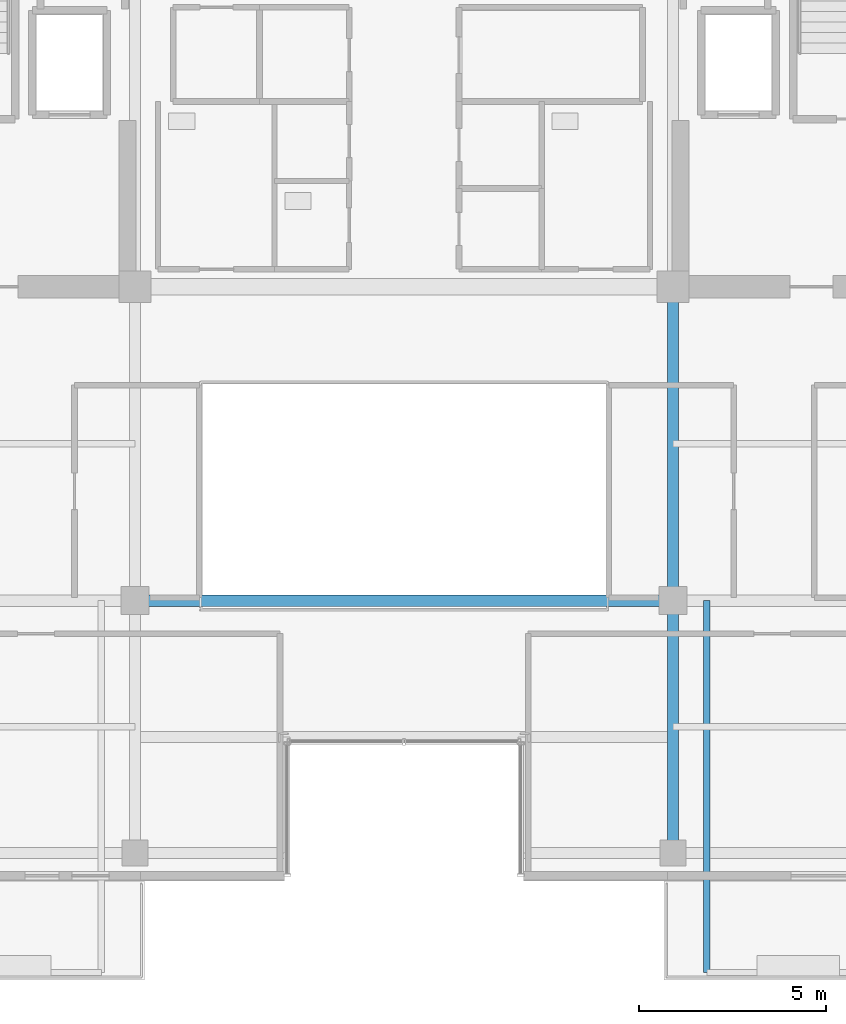
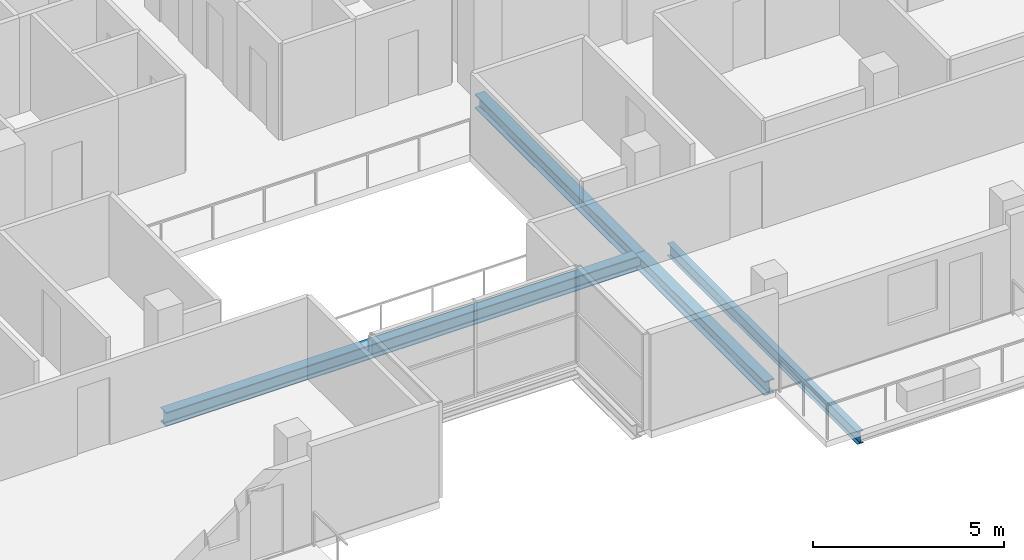
# One storey, part 4 of 21: 4 beams.
"""IFC4 building model written with IfcOpenShell, lengths in metres."""

import ifcopenshell
import ifcopenshell.guid

model = None  # the IFC model being written
_history = None  # IfcOwnerHistory: only IFC2X3 demands one
_inside = {}  # id of a spatial element -> (the spatial element, [elements in it])
_under = {}  # id of a project, library or spatial element -> (it, [spatial elements below it])
_declared = {}  # id of a project -> (the project, [libraries it declares])
_typed = {}  # id of a type object -> (the type object, [elements of that type])
_made_of = {}  # id of a material, layer set ... -> (it, [elements and type objects made of it])


def new_model(schema):
    """Start an empty IFC model of exactly this schema.

    Asked for "IFC4X3", IfcOpenShell would pick the latest addendum, in which some entities
    have other attributes; the version numbers below select the first issue.
    IFC2X3 requires an IfcOwnerHistory on every rooted entity: one is made here for all.
    """
    global model, _history
    if schema == "IFC4X3":
        model = ifcopenshell.file(schema_version=(4, 3, 0, 0))
    else:
        model = ifcopenshell.file(schema=schema)
    _inside.clear()
    _under.clear()
    _declared.clear()
    _typed.clear()
    _made_of.clear()
    _history = None
    if model.schema == "IFC2X3":
        org = make("IfcOrganization", Name="unknown")
        user = make(
            "IfcPersonAndOrganization",
            ThePerson=make("IfcPerson", FamilyName="unknown"),
            TheOrganization=org,
        )
        app = make(
            "IfcApplication",
            ApplicationDeveloper=org,
            Version="unknown",
            ApplicationFullName="unknown",
            ApplicationIdentifier="unknown",
        )
        _history = make(
            "IfcOwnerHistory",
            OwningUser=user,
            OwningApplication=app,
            ChangeAction="ADDED",
            CreationDate=0,
        )
    return model


def make(cls, **values):
    """One entity of the class cls with the attributes given. An attribute that is None is left unset."""
    return model.create_entity(
        cls, **{name: value for name, value in values.items() if value is not None}
    )


def rooted(cls, **values):
    """An entity with a GlobalId (a new one), such as an element, a storey or a relation."""
    return make(cls, GlobalId=ifcopenshell.guid.new(), OwnerHistory=_history, **values)


def si_unit(unit_type, name, prefix=None):
    """IfcSIUnit, for example si_unit("LENGTHUNIT", "METRE", prefix="MILLI")."""
    return make("IfcSIUnit", UnitType=unit_type, Prefix=prefix, Name=name)


def assignment(units):
    """IfcUnitAssignment: the units of a project."""
    return None if units is None else make("IfcUnitAssignment", Units=units)


def point(xyz):
    """IfcCartesianPoint."""
    return None if xyz is None else make("IfcCartesianPoint", Coordinates=xyz)


def direction(xyz):
    """IfcDirection."""
    return None if xyz is None else make("IfcDirection", DirectionRatios=xyz)


def frame(location, z_axis=None, x_axis=None):
    """IfcAxis2Placement3D, a coordinate frame: its origin and axes. An axis left out is left unset."""
    return make(
        "IfcAxis2Placement3D",
        Location=point(location),
        Axis=direction(z_axis),
        RefDirection=direction(x_axis),
    )


def frame_2d(location, x_axis=None):
    """IfcAxis2Placement2D, a coordinate frame in the plane: its origin and x axis."""
    return make(
        "IfcAxis2Placement2D", Location=point(location), RefDirection=direction(x_axis)
    )


def origin():
    """The frame at (0, 0, 0) with its axes left unset."""
    return frame((0.0, 0.0, 0.0))


def origin_2d():
    """The frame at (0, 0) in the plane with its x axis left unset."""
    return frame_2d((0.0, 0.0))


def place(relative_to, where):
    """IfcLocalPlacement: puts the frame where relative to a parent placement (None: the world)."""
    return make(
        "IfcLocalPlacement", PlacementRelTo=relative_to, RelativePlacement=where
    )


def context(
    kind, dimensions, precision=None, world=None, true_north=None, identifier=None
):
    """IfcGeometricRepresentationContext, for example the 3D "Model" context."""
    return make(
        "IfcGeometricRepresentationContext",
        ContextIdentifier=identifier,
        ContextType=kind,
        CoordinateSpaceDimension=dimensions,
        Precision=precision,
        WorldCoordinateSystem=world,
        TrueNorth=true_north,
    )


def subcontext(parent, identifier, kind, view, scale=None):
    """IfcGeometricRepresentationSubContext, for example "Body" below "Model"."""
    return make(
        "IfcGeometricRepresentationSubContext",
        ContextIdentifier=identifier,
        ContextType=kind,
        ParentContext=parent,
        TargetScale=scale,
        TargetView=view,
    )


def project(units=None, contexts=None):
    """IfcProject with its units and contexts."""
    return rooted(
        "IfcProject",
        Name="project",
        RepresentationContexts=contexts,
        UnitsInContext=assignment(units),
    )


def spatial(cls, under=None, at=None, **own):
    """A site, building, storey or space (cls), placed at a placement, below another one or the project."""
    s = rooted(cls, ObjectPlacement=at, **own)
    if under is not None:
        _under.setdefault(under.id(), (under, []))[1].append(s)
    return s


def profile(cls, at=None, kind="AREA", **sizes):
    """A parametric profile (cls). Its sizes go by their IFC names, for example OverallWidth=200.0."""
    return make(cls, ProfileType=kind, Position=at, **sizes)


def i_section(**sizes):
    """IfcIShapeProfileDef."""
    return profile("IfcIShapeProfileDef", **sizes)


def extrude(swept, where, along, depth):
    """IfcExtrudedAreaSolid: the profile swept, set in the frame where, extruded along a direction by depth."""
    return make(
        "IfcExtrudedAreaSolid",
        SweptArea=swept,
        Position=where,
        ExtrudedDirection=direction(along),
        Depth=depth,
    )


def shape(context_of_items, identifier, shape_type, items):
    """IfcShapeRepresentation: the items that make up one representation, for example the "Body"."""
    return make(
        "IfcShapeRepresentation",
        ContextOfItems=context_of_items,
        RepresentationIdentifier=identifier,
        RepresentationType=shape_type,
        Items=items,
    )


def material(Name=None, Category=None):
    """IfcMaterial."""
    return make("IfcMaterial", Name=Name, Category=Category)


def material_profile(
    of_material, cross_section, Name=None, Category=None, Priority=None
):
    """IfcMaterialProfile: a cross section and its material."""
    return make(
        "IfcMaterialProfile",
        Name=Name,
        Material=of_material,
        Profile=cross_section,
        Priority=Priority,
        Category=Category,
    )


def profile_set(profiles, Name=None, composite=None):
    """IfcMaterialProfileSet."""
    return make(
        "IfcMaterialProfileSet",
        Name=Name,
        MaterialProfiles=profiles,
        CompositeProfile=composite,
    )


def made_of(thing, what):
    """Note that an element or type object is made of a material, layer set ...; save() writes the relation."""
    if what is not None:
        _made_of.setdefault(what.id(), (what, []))[1].append(thing)
    return thing


def type_object(cls, material=None, **own):
    """A type object (cls), such as IfcWallType, which elements share."""
    return made_of(rooted(cls, **own), material)


def element(
    cls,
    number,
    at=None,
    inside=None,
    cuts=None,
    type_object=None,
    material=None,
    context=None,
    identifier="Body",
    shape_type=None,
    held_by="IfcProductDefinitionShape",
    body=None,
    shapes=None,
    **own,
):
    """One element of the class cls, such as IfcWall. Its Tag is "e" and its number.

    at: its placement. inside: the storey or other place that contains it. cuts: it is an
    opening in that element (IfcRelVoidsElement). A single representation is given by context,
    identifier, shape_type and body (its items); several are given by shapes. held_by: the class
    of the entity that holds the representations. save() writes the other relations.
    """
    e = rooted(cls, Tag="e%d" % number, ObjectPlacement=at, **own)
    if body is not None:
        shapes = [shape(context, identifier, shape_type, body)]
    if shapes is not None:
        e.Representation = make(held_by, Representations=shapes)
    if inside is not None:
        _inside.setdefault(inside.id(), (inside, []))[1].append(e)
    if cuts is not None:
        rooted(
            "IfcRelVoidsElement", RelatingBuildingElement=cuts, RelatedOpeningElement=e
        )
    if type_object is not None:
        _typed.setdefault(type_object.id(), (type_object, []))[1].append(e)
    return made_of(e, material)


def aggregate(whole, parts):
    """IfcRelAggregates: a whole, such as a stair, and the parts it consists of."""
    return rooted("IfcRelAggregates", RelatingObject=whole, RelatedObjects=parts)


def save(model, path):
    """Write the relations noted so far, then the file.

    IfcRelAggregates (storeys below a building ...), IfcRelContainedInSpatialStructure (elements
    in a storey), IfcRelDefinesByType, IfcRelAssociatesMaterial and IfcRelDeclares: one each for
    every whole, place, type object, material and project.
    """
    for whole, parts in _under.values():
        aggregate(whole, parts)
    for where, things in _inside.values():
        rooted(
            "IfcRelContainedInSpatialStructure",
            RelatedElements=things,
            RelatingStructure=where,
        )
    for kind, things in _typed.values():
        rooted("IfcRelDefinesByType", RelatedObjects=things, RelatingType=kind)
    for what, things in _made_of.values():
        rooted("IfcRelAssociatesMaterial", RelatedObjects=things, RelatingMaterial=what)
    for by, libraries in _declared.values():
        rooted("IfcRelDeclares", RelatingContext=by, RelatedDefinitions=libraries)
    model.write(path)


model = new_model("IFC4")

# Units and contexts
model_context = context("Model", 3, precision=1e-05, world=origin(), true_north=direction((0.0, 1.0)))
body_context = subcontext(model_context, "Body", "Model", "MODEL_VIEW")
ifc_project = project(units=[si_unit("LENGTHUNIT", "METRE"), si_unit("AREAUNIT", "SQUARE_METRE"), si_unit("VOLUMEUNIT", "CUBIC_METRE"), si_unit("PLANEANGLEUNIT", "RADIAN"), si_unit("MASSUNIT", "GRAM", prefix="KILO")], contexts=[model_context])

# Site, building, storey
site_placement = place(None, origin())
site = spatial("IfcSite", under=ifc_project, at=site_placement, CompositionType="ELEMENT")
building_placement = place(site_placement, origin())
building = spatial("IfcBuilding", under=site, at=building_placement, Name="Zarnakvel Exchange Tower", CompositionType="ELEMENT")
storey_placement = place(building_placement, frame((0.0, 0.0, 248.5)))
storey = spatial("IfcBuildingStorey", under=building, at=storey_placement, Name="L70", CompositionType="ELEMENT", Elevation=248.5)

# Beams
ifc_material = material(Name="Steel S355", Category="steel")
ifc_material_profile_1 = material_profile(ifc_material, i_section(OverallWidth=0.179931640625, OverallDepth=0.39990234375, WebThickness=0.008544921875, FlangeThickness=0.013427734375, FilletRadius=0.02099609375, at=origin_2d()))
ifc_profile_set_1 = profile_set([ifc_material_profile_1], Name="Steel S355")
beam_type_1 = type_object("IfcBeamType", Name="B-06", PredefinedType="JOIST", material=ifc_profile_set_1)
beam_1_placement = place(storey_placement, frame((8.10009765625, -9.60009765625, -0.425048828125), z_axis=(0.0, -1.0, 0.0), x_axis=(1.0, 0.0, 0.0)))
element("IfcBeam", 1, at=beam_1_placement, inside=storey, type_object=beam_type_1, Name="L70 Continuous Back-Spanned Balcony Beam W", PredefinedType="JOIST", context=body_context, shape_type="SweptSolid", body=[
    extrude(i_section(OverallWidth=0.179931640625, OverallDepth=0.39990234375, WebThickness=0.008544921875, FlangeThickness=0.013427734375, FilletRadius=0.02099609375, at=origin_2d()), origin(), (0.0, 0.0, 1.0), 9.949951171875),
])
ifc_material_profile_2 = material_profile(ifc_material, i_section(OverallWidth=0.300048828125, OverallDepth=0.449951171875, WebThickness=0.013916015625, FlangeThickness=0.02587890625, FilletRadius=0.027099609375, at=origin_2d()))
ifc_profile_set_2 = profile_set([ifc_material_profile_2], Name="Steel S355")
beam_type_2 = type_object("IfcBeamType", Name="G-07", PredefinedType="BEAM", material=ifc_profile_set_2)
beam_2_placement = place(storey_placement, frame((-7.199951171875, -9.60009765625, -0.449951171875), z_axis=(1.0, 0.0, 0.0), x_axis=(0.0, 1.0, 0.0)))
element("IfcBeam", 2, at=beam_2_placement, inside=storey, type_object=beam_type_2, Name="L70 Tower E-W Frame Beam", PredefinedType="BEAM", context=body_context, shape_type="SweptSolid", body=[
    extrude(i_section(OverallWidth=0.300048828125, OverallDepth=0.449951171875, WebThickness=0.013916015625, FlangeThickness=0.02587890625, FilletRadius=0.027099609375, at=origin_2d()), origin(), (0.0, 0.0, 1.0), 14.39990234375),
])
beam_3_placement = place(storey_placement, frame((7.199951171875, -16.35009765625, -0.449951171875), z_axis=(0.0, 1.0, 0.0), x_axis=(-1.0, 0.0, 0.0)))
element("IfcBeam", 3, at=beam_3_placement, inside=storey, type_object=beam_type_2, Name="L70 Tower N-S Frame Beam", PredefinedType="BEAM", context=body_context, shape_type="SweptSolid", body=[
    extrude(i_section(OverallWidth=0.300048828125, OverallDepth=0.449951171875, WebThickness=0.013916015625, FlangeThickness=0.02587890625, FilletRadius=0.027099609375, at=origin_2d()), origin(), (0.0, 0.0, 1.0), 6.75),
])
beam_4_placement = place(storey_placement, frame((7.199951171875, -9.60009765625, -0.449951171875), z_axis=(0.0, 1.0, 0.0), x_axis=(-1.0, 0.0, 0.0)))
element("IfcBeam", 4, at=beam_4_placement, inside=storey, type_object=beam_type_2, Name="L70 Tower N-S Frame Beam", PredefinedType="BEAM", context=body_context, shape_type="SweptSolid", body=[
    extrude(i_section(OverallWidth=0.300048828125, OverallDepth=0.449951171875, WebThickness=0.013916015625, FlangeThickness=0.02587890625, FilletRadius=0.027099609375, at=origin_2d()), origin(), (0.0, 0.0, 1.0), 8.400146484375),
])

save(model, "model.ifc")
